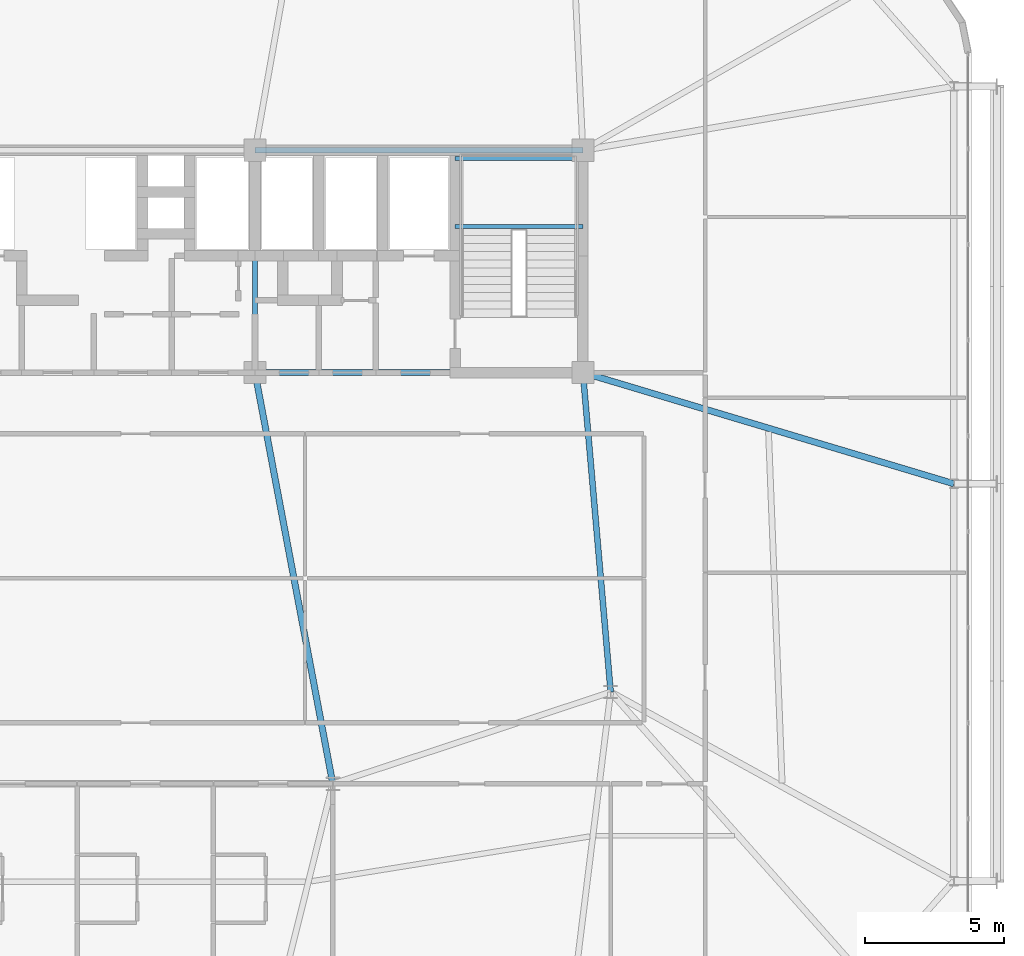
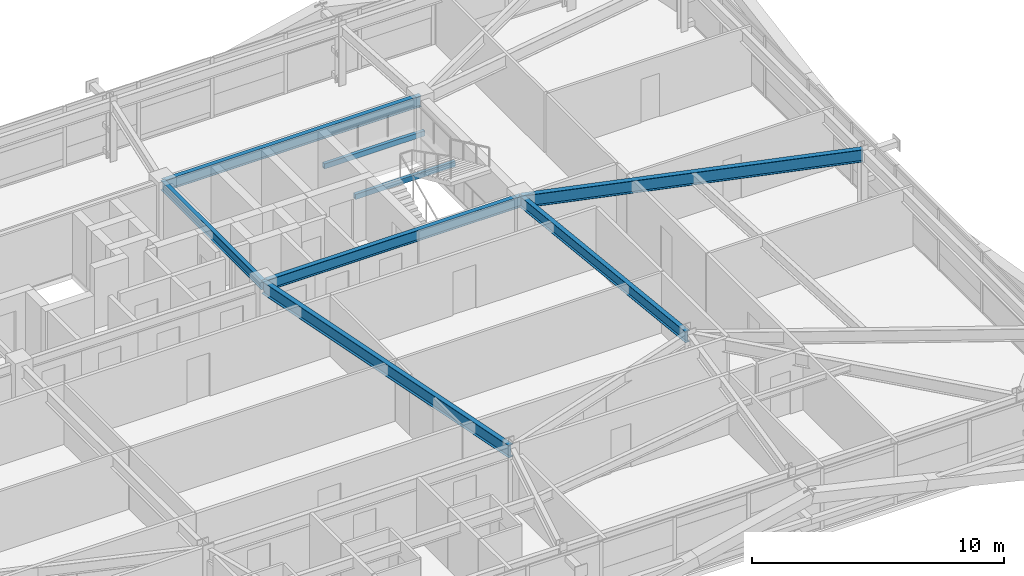
# One storey, part 29 of 59: 8 beams.
"""IFC4 building model written with IfcOpenShell, lengths in metres."""

from ifc_helpers import new_model, si_unit, direction, frame, origin, origin_2d, place, context, subcontext, project, spatial, hollow_rectangle, i_section, extrude, source, transform, mapped, material, material_profile, profile_set, type_object, element, save


model = new_model("IFC4")

# Units and contexts
model_context = context("Model", 3, precision=1e-05, world=origin(), true_north=direction((0.0, 1.0)))
body_context = subcontext(model_context, "Body", "Model", "MODEL_VIEW")
ifc_project = project(units=[si_unit("LENGTHUNIT", "METRE"), si_unit("AREAUNIT", "SQUARE_METRE"), si_unit("VOLUMEUNIT", "CUBIC_METRE"), si_unit("PLANEANGLEUNIT", "RADIAN"), si_unit("MASSUNIT", "GRAM", prefix="KILO")], contexts=[model_context])

# Site, building, storey
site_placement = place(None, origin())
site = spatial("IfcSite", under=ifc_project, at=site_placement, CompositionType="ELEMENT")
building_placement = place(site_placement, origin())
building = spatial("IfcBuilding", under=site, at=building_placement, Name="Taldren Reach Tower", CompositionType="ELEMENT")
storey_placement = place(building_placement, frame((0.0, 0.0, 45.14990234375)))
storey = spatial("IfcBuildingStorey", under=building, at=storey_placement, Name="L13", CompositionType="ELEMENT", Elevation=45.14990234375)

# Beams
ifc_material_1 = material(Name="Steel Gr 350 (350PLUS)", Category="steel")
ifc_material_profile_1 = material_profile(ifc_material_1, i_section(OverallWidth=0.208984375, OverallDepth=0.532958984375, WebThickness=0.01025390625, FlangeThickness=0.015625, at=origin_2d()), Name="530UB92.4")
ifc_profile_set_1 = profile_set([ifc_material_profile_1], Name="Steel Gr 350 (350PLUS)")
beam_type_1 = type_object("IfcBeamType", Name="BM-UB530A", PredefinedType="BEAM", material=ifc_profile_set_1)
shared_shape_1 = source(origin(), body_context, "Body", "SweptSolid", [
    extrude(i_section(OverallWidth=0.208984375, OverallDepth=0.532958984375, WebThickness=0.01025390625, FlangeThickness=0.015625, at=origin_2d()), origin(), (0.0, 0.0, 1.0), 11.800048828125),
])
for number, where, z_axis, x_axis, name in (
    (1, (39.199951171875, 24.0, 2.66357421875), (1.0, 0.0, 0.0), (0.0, 1.0, 0.0), "Core-spine girder L13-SP03"),
    (2, (39.199951171875, 32.0, 2.66357421875), (1.0, 0.0, 0.0), (0.0, 1.0, 0.0), "Core-spine girder L13-SP06"),
):
    element("IfcBeam", number, at=place(storey_placement, frame(where, z_axis=z_axis, x_axis=x_axis)), inside=storey, type_object=beam_type_1, Name=name, PredefinedType="BEAM", context=body_context, shape_type="MappedRepresentation", body=[
        mapped(shared_shape_1, transform((0.0, 0.0, 0.0), scale=1.0)),
    ])
ifc_material_profile_2 = material_profile(ifc_material_1, i_section(OverallWidth=0.19091796875, OverallDepth=0.4599609375, WebThickness=0.010009765625, FlangeThickness=0.01611328125, at=origin_2d()), Name="460UB82.1")
ifc_profile_set_2 = profile_set([ifc_material_profile_2], Name="Steel Gr 350 (350PLUS)")
beam_type_2 = type_object("IfcBeamType", Name="BM-UB460A", PredefinedType="BEAM", material=ifc_profile_set_2)
shared_shape_2 = source(origin(), body_context, "Body", "SweptSolid", [
    extrude(i_section(OverallWidth=0.19091796875, OverallDepth=0.4599609375, WebThickness=0.010009765625, FlangeThickness=0.01611328125, at=origin_2d()), origin(), (0.0, 0.0, 1.0), 8.0),
])
beam_1_placement = place(storey_placement, frame((39.199951171875, 24.0, 2.7001953125), z_axis=(0.0, 1.0, 0.0), x_axis=(-1.0, 0.0, 0.0)))
element("IfcBeam", 3, at=beam_1_placement, inside=storey, type_object=beam_type_2, Name="Core-spine girder L13-SP08", PredefinedType="BEAM", context=body_context, shape_type="MappedRepresentation", body=[
    mapped(shared_shape_2, transform((0.0, 0.0, 0.0), scale=1.0)),
])
shared_shape_3 = source(origin(), body_context, "Body", "SweptSolid", [
    extrude(i_section(OverallWidth=0.208984375, OverallDepth=0.532958984375, WebThickness=0.01025390625, FlangeThickness=0.015625, at=origin_2d()), origin(), (0.0, 0.0, 1.0), 11.54345703125),
])
beam_2_placement = place(storey_placement, frame((52.0, 12.5, 2.66357421875), z_axis=(-0.086629616365, 0.996240588196, 0.0), x_axis=(-0.996240588196, -0.086629616365, 0.0)))
element("IfcBeam", 4, at=beam_2_placement, inside=storey, type_object=beam_type_1, Name="Core-spine girder L13-SP13", PredefinedType="BEAM", context=body_context, shape_type="MappedRepresentation", body=[
    mapped(shared_shape_3, transform((0.0, 0.0, 0.0), scale=1.0)),
])
ifc_material_profile_3 = material_profile(ifc_material_1, i_section(OverallWidth=0.22802734375, OverallDepth=0.60205078125, WebThickness=0.010498046875, FlangeThickness=0.014892578125, at=origin_2d()), Name="610UB101")
ifc_profile_set_3 = profile_set([ifc_material_profile_3], Name="Steel Gr 350 (350PLUS)")
beam_type_3 = type_object("IfcBeamType", Name="BM-UB610B", PredefinedType="BEAM", material=ifc_profile_set_3)
shared_shape_4 = source(origin(), body_context, "Body", "SweptSolid", [
    extrude(i_section(OverallWidth=0.22802734375, OverallDepth=0.60205078125, WebThickness=0.010498046875, FlangeThickness=0.014892578125, at=origin_2d()), origin(), (0.0, 0.0, 1.0), 15.0625),
])
beam_3_placement = place(storey_placement, frame((39.199951171875, 24.0, 2.629150390625), z_axis=(0.185894205668, -0.982569765614, 0.0), x_axis=(0.982569765614, 0.185894205668, 0.0)))
element("IfcBeam", 5, at=beam_3_placement, inside=storey, type_object=beam_type_3, Name="Core-spine girder L13-SP15", PredefinedType="BEAM", context=body_context, shape_type="MappedRepresentation", body=[
    mapped(shared_shape_4, transform((0.0, 0.0, 0.0), scale=1.0)),
])
shared_shape_5 = source(origin(), body_context, "Body", "SweptSolid", [
    extrude(i_section(OverallWidth=0.22802734375, OverallDepth=0.60205078125, WebThickness=0.010498046875, FlangeThickness=0.014892578125, at=origin_2d()), origin(), (0.0, 0.0, 1.0), 13.9365234375),
])
beam_4_placement = place(storey_placement, frame((51.0, 24.0, 2.629150390625), z_axis=(0.957925550891, -0.287016792104, 0.0), x_axis=(0.287016792104, 0.957925550891, 0.0)))
element("IfcBeam", 6, at=beam_4_placement, inside=storey, type_object=beam_type_3, Name="Primary floor girder B1-E2 L13", PredefinedType="BEAM", context=body_context, shape_type="MappedRepresentation", body=[
    mapped(shared_shape_5, transform((0.0, 0.0, 0.0), scale=1.0)),
])
ifc_material_2 = material(Name="Steel Gr 350 (C350L0)", Category="steel")
ifc_material_profile_4 = material_profile(ifc_material_2, hollow_rectangle(XDim=0.14990234375, YDim=0.25, WallThickness=0.009033203125, at=origin_2d()), Name="250x150x9.0RHS")
ifc_profile_set_4 = profile_set([ifc_material_profile_4], Name="Steel Gr 350 (C350L0)")
beam_type_4 = type_object("IfcBeamType", Name="LN-RHS250", PredefinedType="LINTEL", material=ifc_profile_set_4)
shared_shape_6 = source(origin(), body_context, "Body", "SweptSolid", [
    extrude(hollow_rectangle(XDim=0.14990234375, YDim=0.25, WallThickness=0.009033203125, at=origin_2d()), origin(), (0.0, 0.0, 1.0), 4.60009765625),
])
for number, where, z_axis, x_axis, name in (
    (7, (46.39990234375, 29.2548828125, 1.27001953125), (1.0, 0.0, 0.0), (0.0, 1.0, 0.0), "Stair half-landing support beam ST2-L13-1"),
    (8, (46.39990234375, 31.699951171875, 1.27001953125), (1.0, 0.0, 0.0), (0.0, 1.0, 0.0), "Stair half-landing support beam ST2-L13-2"),
):
    element("IfcBeam", number, at=place(storey_placement, frame(where, z_axis=z_axis, x_axis=x_axis)), inside=storey, type_object=beam_type_4, Name=name, PredefinedType="LINTEL", context=body_context, shape_type="MappedRepresentation", body=[
        mapped(shared_shape_6, transform((0.0, 0.0, 0.0), scale=1.0)),
    ])

save(model, "model.ifc")
